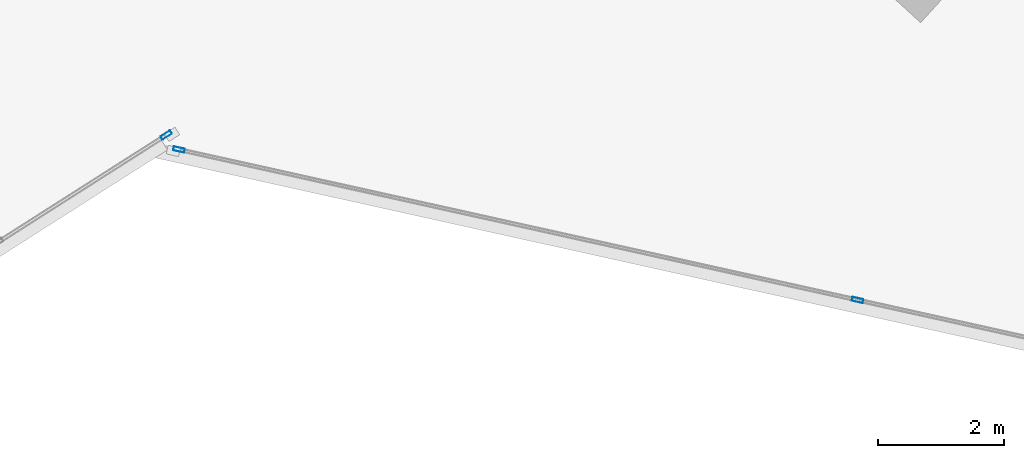
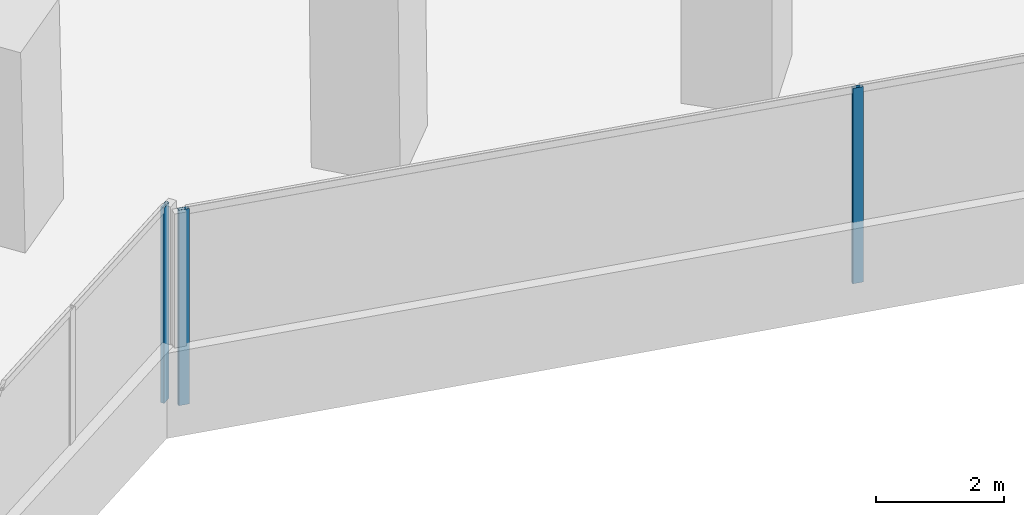
# One storey, part 8 of 25: 3 members, 2 elements without a shape of their own.
"""IFC4 building model written with IfcOpenShell, lengths in metres."""

from ifc_helpers import new_model, si_unit, direction, frame, origin, origin_2d, place, context, subcontext, project, spatial, hollow_rectangle, extrude, source, transform, mapped, material, material_profile, profile_set, type_object, element, aggregate, save


model = new_model("IFC4")

# Units and contexts
model_context = context("Model", 3, precision=1e-05, world=origin(), true_north=direction((0.0, 1.0)))
body_context = subcontext(model_context, "Body", "Model", "MODEL_VIEW")
ifc_project = project(units=[si_unit("LENGTHUNIT", "METRE"), si_unit("AREAUNIT", "SQUARE_METRE"), si_unit("VOLUMEUNIT", "CUBIC_METRE"), si_unit("PLANEANGLEUNIT", "RADIAN"), si_unit("MASSUNIT", "GRAM", prefix="KILO")], contexts=[model_context])

# Site, building, storey
site_placement = place(None, origin())
site = spatial("IfcSite", under=ifc_project, at=site_placement, CompositionType="ELEMENT")
building_placement = place(site_placement, origin())
building = spatial("IfcBuilding", under=site, at=building_placement, Name="Torre Montelarca", CompositionType="ELEMENT")
storey_placement = place(building_placement, frame((0.0, 0.0, 91.60009765625)))
storey = spatial("IfcBuildingStorey", under=building, at=storey_placement, Name="L20", CompositionType="ELEMENT", Elevation=91.60009765625)

# Curtain wall, member
ifc_material_1 = material(Name="Insulated low-E laminated glass", Category="glass")
curtain_wall_type = type_object("IfcCurtainWallType", Name="CW-SYS-Z1", PredefinedType="USERDEFINED", material=ifc_material_1)
curtain_wall_1_placement = place(storey_placement, origin())
curtain_wall_1 = element("IfcCurtainWall", 1, at=curtain_wall_1_placement, inside=storey, type_object=curtain_wall_type, Name="L20 Curtain Wall Run CW-T3-L20-E02-B1", ObjectType="UNITISED GLAZING", PredefinedType="USERDEFINED")
ifc_material_2 = material(Name="Anodised aluminium AA 6063-T6", Category="aluminium")
ifc_material_profile = material_profile(ifc_material_2, hollow_rectangle(XDim=0.06494140625, YDim=0.179931640625, WallThickness=0.00390625, InnerFilletRadius=0.00390625, OuterFilletRadius=0.008056640625, at=origin_2d()), Name="ALU65X180X4", Category="aluminium")
ifc_profile_set = profile_set([ifc_material_profile], Name="Anodised aluminium AA 6063-T6")
member_type = type_object("IfcMemberType", Name="CWM-ALU180", PredefinedType="MULLION", material=ifc_profile_set)
shared_shape = source(origin(), body_context, "Body", "SweptSolid", [
    extrude(hollow_rectangle(XDim=0.06494140625, YDim=0.179931640625, WallThickness=0.00390625, InnerFilletRadius=0.00390625, OuterFilletRadius=0.008056640625, at=origin_2d()), origin(), (0.0, 0.0, 1.0), 3.719970703125),
])
member_1_placement = place(storey_placement, frame((33.642578125, 15.4921875, 0.0), z_axis=(0.0, 0.0, 1.0), x_axis=(-0.537312197398, 0.843383425571, 0.0)))
member_1 = element("IfcMember", 2, at=member_1_placement, type_object=member_type, Name="CW mullion 3", PredefinedType="MULLION", context=body_context, shape_type="MappedRepresentation", body=[
    mapped(shared_shape, transform((0.0, 0.0, 0.0), scale=1.0)),
])
aggregate(curtain_wall_1, [member_1])

# Curtain wall, members
curtain_wall_2_placement = place(storey_placement, origin())
curtain_wall_2 = element("IfcCurtainWall", 3, at=curtain_wall_2_placement, inside=storey, type_object=curtain_wall_type, Name="L20 Curtain Wall Run CW-T3-L20-E04-B1", ObjectType="UNITISED GLAZING", PredefinedType="USERDEFINED")
member_2_placement = place(storey_placement, frame((33.84423828125, 15.261474609375, 0.0), z_axis=(0.0, 0.0, 1.0), x_axis=(0.216436780664, 0.976296635237, 0.0)))
member_2 = element("IfcMember", 4, at=member_2_placement, type_object=member_type, Name="CW mullion 1", PredefinedType="MULLION", context=body_context, shape_type="MappedRepresentation", body=[
    mapped(shared_shape, transform((0.0, 0.0, 0.0), scale=1.0)),
])
member_3_placement = place(storey_placement, frame((44.5966796875, 12.877685546875, 0.0), z_axis=(0.0, 0.0, 1.0), x_axis=(0.216436780664, 0.976296635237, 0.0)))
member_3 = element("IfcMember", 5, at=member_3_placement, type_object=member_type, Name="CW mullion 2", PredefinedType="MULLION", context=body_context, shape_type="MappedRepresentation", body=[
    mapped(shared_shape, transform((0.0, 0.0, 0.0), scale=1.0)),
])
aggregate(curtain_wall_2, [member_2, member_3])

save(model, "model.ifc")
